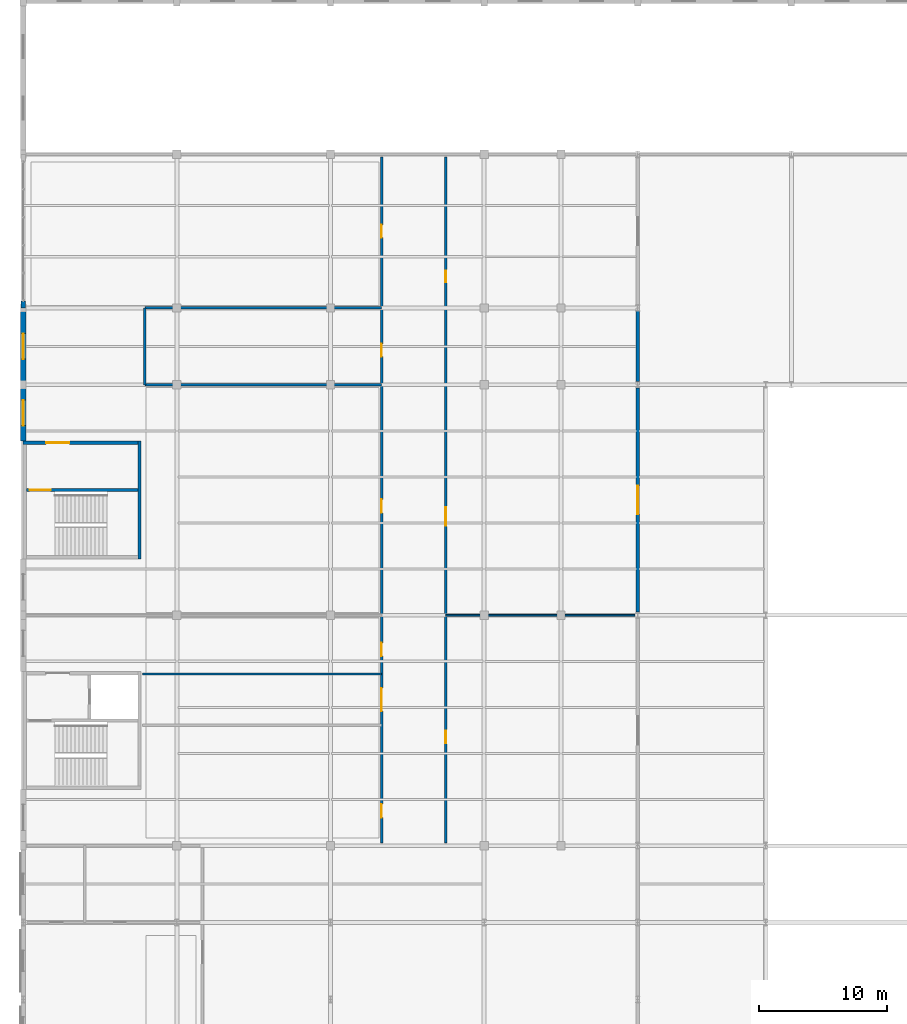
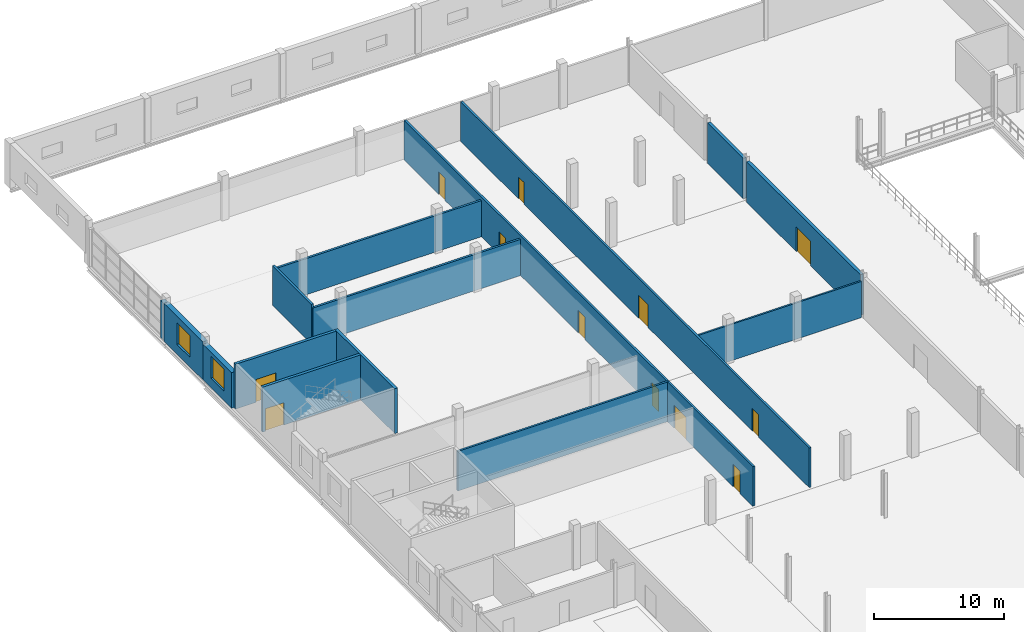
# One storey, part 142 of 158: 15 walls, 12 doors, 2 windows, 14 openings.
"""IFC4 building model written with IfcOpenShell, lengths in metres."""

from ifc_helpers import new_model, si_unit, direction, frame, frame_2d, origin, place, context, subcontext, project, spatial, rectangle, extrude, material, layer, layer_set, type_object, element, fill, save


model = new_model("IFC4")

# Units and contexts
model_context = context("Model", 3, precision=1e-05, world=origin(), true_north=direction((0.0, 1.0)))
body_context = subcontext(model_context, "Body", "Model", "MODEL_VIEW")
ifc_project = project(units=[si_unit("LENGTHUNIT", "METRE"), si_unit("AREAUNIT", "SQUARE_METRE"), si_unit("VOLUMEUNIT", "CUBIC_METRE"), si_unit("PLANEANGLEUNIT", "RADIAN"), si_unit("MASSUNIT", "GRAM", prefix="KILO")], contexts=[model_context])

# Site, building, storey
site_placement = place(None, origin())
site = spatial("IfcSite", under=ifc_project, at=site_placement, CompositionType="ELEMENT")
building_placement = place(site_placement, origin())
building = spatial("IfcBuilding", under=site, at=building_placement, Name="Zilviju Railside Exhibition Hall", CompositionType="ELEMENT")
storey_placement = place(building_placement, frame((0.0, 0.0, 4.199951171875)))
storey = spatial("IfcBuildingStorey", under=building, at=storey_placement, Name="L02", CompositionType="ELEMENT", Elevation=4.199951171875)

# Wall, opening, door
ifc_material_1 = material(Name="Concrete C35/45", Category="concrete")
ifc_layer_1 = layer(ifc_material_1, 0.280029296875)
ifc_layer_set_1 = layer_set([ifc_layer_1], Name="Concrete C35/45")
wall_type_1 = type_object("IfcWallType", Name="WL-COMP-280", PredefinedType="SHEAR", material=ifc_layer_set_1)
wall_1_placement = place(storey_placement, frame((48.0, 102.251953125, 0.0), z_axis=(0.0, 0.0, 1.0), x_axis=(0.0, 1.0, 0.0)))
wall_1 = element("IfcWall", 1, at=wall_1_placement, inside=storey, type_object=wall_type_1, Name="REI 180 Congress-Concourse Compartment Wall L02", PredefinedType="SHEAR", context=body_context, shape_type="SweptSolid", body=[
    extrude(rectangle(XDim=17.49609375, YDim=0.280029296875, at=frame_2d((8.748046875, 0.0))), origin(), (0.0, 0.0, 1.0), 3.800048828125),
])
opening_1_placement = place(wall_1_placement, frame((7.64794921875, 0.0, 0.0)))
opening_1 = element("IfcOpeningElement", 2, at=opening_1_placement, cuts=wall_1, Name="Opening FD-03", PredefinedType="OPENING", context=body_context, shape_type="SweptSolid", body=[
    extrude(rectangle(XDim=2.199951171875, YDim=2.300048828125, at=frame_2d((1.10009765625, 1.14990234375))), frame((0.0, 0.14990234375, 0.0), z_axis=(0.0, -1.0, 0.0), x_axis=(1.0, 0.0, 0.0)), (0.0, 0.0, 1.0), 0.300048828125),
])
ifc_material_2 = material(Name="Hold-open double compartment fire door EI 60", Category="wood")
door_type_1 = type_object("IfcDoorType", Name="DR-COMP-220x230", OperationType="NOTDEFINED", PredefinedType="DOOR", material=ifc_material_2)
door_1_placement = place(opening_1_placement, origin())
door_1 = element("IfcDoor", 3, at=door_1_placement, inside=storey, type_object=door_type_1, Name="Congress Link Fire Door L02", OperationType="DOUBLE_DOOR_SINGLE_SWING", OverallHeight=2.300048828125, OverallWidth=2.199951171875, PredefinedType="DOOR", context=body_context, shape_type="SweptSolid", body=[
    extrude(rectangle(XDim=2.199951171875, YDim=2.300048828125, at=frame_2d((1.10009765625, 1.14990234375))), frame((0.0, 0.02490234375, 0.0), z_axis=(0.0, -1.0, 0.0), x_axis=(1.0, 0.0, 0.0)), (0.0, 0.0, 1.0), 0.050048828125),
])
fill(opening_1, door_1)

# Walls
wall_2_placement = place(storey_placement, frame((48.0, 120.251953125, 0.0), z_axis=(0.0, 0.0, 1.0), x_axis=(0.0, 1.0, 0.0)))
element("IfcWall", 4, at=wall_2_placement, inside=storey, type_object=wall_type_1, Name="REI 180 Congress-Concourse Compartment Wall L02", PredefinedType="SHEAR", context=body_context, shape_type="SweptSolid", body=[
    extrude(rectangle(XDim=5.49609375, YDim=0.280029296875, at=frame_2d((2.748046875, 0.0))), origin(), (0.0, 0.0, 1.0), 3.800048828125),
])
ifc_layer_2 = layer(ifc_material_1, 0.25)
ifc_layer_set_2 = layer_set([ifc_layer_2], Name="Concrete C35/45")
wall_type_2 = type_object("IfcWallType", Name="WL-CORE-250", PredefinedType="SHEAR", material=ifc_layer_set_2)
wall_3_placement = place(storey_placement, frame((9.074951171875, 106.39990234375, 0.0), z_axis=(0.0, 0.0, 1.0), x_axis=(0.0, 1.0, 0.0)))
element("IfcWall", 5, at=wall_3_placement, inside=storey, type_object=wall_type_2, Name="Core C16 Organisers Wing North Core Rear Wall L02", PredefinedType="SHEAR", context=body_context, shape_type="SweptSolid", body=[
    extrude(rectangle(XDim=9.2001953125, YDim=0.25, at=frame_2d((4.60009765625, 0.0))), origin(), (0.0, 0.0, 1.0), 4.199951171875),
])

# Wall, opening, door
wall_4_placement = place(storey_placement, frame((0.0, 115.47509765625, 0.0), z_axis=(0.0, 0.0, 1.0), x_axis=(1.0, 0.0, 0.0)))
wall_4 = element("IfcWall", 6, at=wall_4_placement, inside=storey, type_object=wall_type_2, Name="Core C16 Organisers Wing North Lobby Side Wall L02", PredefinedType="SHEAR", context=body_context, shape_type="SweptSolid", body=[
    extrude(rectangle(XDim=9.199951171875, YDim=0.25, at=frame_2d((4.60009765625, 0.0))), origin(), (0.0, 0.0, 1.0), 4.199951171875),
])
opening_2_placement = place(wall_4_placement, frame((1.800048828125, 0.0, 0.0)))
opening_2 = element("IfcOpeningElement", 7, at=opening_2_placement, cuts=wall_4, Name="Opening FD-02", PredefinedType="OPENING", context=body_context, shape_type="SweptSolid", body=[
    extrude(rectangle(XDim=1.800048828125, YDim=2.14990234375, at=frame_2d((0.89990234375, 1.074951171875))), frame((0.0, 0.135009765625, 0.0), z_axis=(0.0, -1.0, 0.0), x_axis=(1.0, 0.0, 0.0)), (0.0, 0.0, 1.0), 0.27001953125),
])
ifc_material_3 = material(Name="Self-closing glazed steel core lobby fire door EI 60", Category="steel")
door_type_2 = type_object("IfcDoorType", Name="DR-LOBBY-180x215", OperationType="NOTDEFINED", PredefinedType="DOOR", material=ifc_material_3)
door_2_placement = place(opening_2_placement, origin())
door_2 = element("IfcDoor", 8, at=door_2_placement, inside=storey, type_object=door_type_2, Name="Core C16 Organisers Wing North Lobby Fire Door L02", OperationType="DOUBLE_DOOR_SINGLE_SWING", OverallHeight=2.14990234375, OverallWidth=1.800048828125, PredefinedType="DOOR", context=body_context, shape_type="SweptSolid", body=[
    extrude(rectangle(XDim=1.800048828125, YDim=2.14990234375, at=frame_2d((0.89990234375, 1.074951171875))), frame((0.0, 0.02490234375, 0.0), z_axis=(0.0, -1.0, 0.0), x_axis=(1.0, 0.0, 0.0)), (0.0, 0.0, 1.0), 0.050048828125),
])
fill(opening_2, door_2)

wall_5_placement = place(storey_placement, frame((0.25, 111.77490234375, 0.0), z_axis=(0.0, 0.0, 1.0), x_axis=(1.0, 0.0, 0.0)))
wall_5 = element("IfcWall", 9, at=wall_5_placement, inside=storey, type_object=wall_type_2, Name="Core C16 Organisers Wing North Stairwell Partition Wall L02", PredefinedType="SHEAR", context=body_context, shape_type="SweptSolid", body=[
    extrude(rectangle(XDim=8.699951171875, YDim=0.25, at=frame_2d((4.35009765625, 0.0))), origin(), (0.0, 0.0, 1.0), 4.199951171875),
])
opening_3_placement = place(wall_5_placement, frame((0.25, 0.0, 0.0)))
opening_3 = element("IfcOpeningElement", 10, at=opening_3_placement, cuts=wall_5, Name="Opening FD-01", PredefinedType="OPENING", context=body_context, shape_type="SweptSolid", body=[
    extrude(rectangle(XDim=1.64990234375, YDim=2.10009765625, at=frame_2d((0.824951171875, 1.050048828125))), frame((0.0, 0.135009765625, 0.0), z_axis=(0.0, -1.0, 0.0), x_axis=(1.0, 0.0, 0.0)), (0.0, 0.0, 1.0), 0.27001953125),
])
ifc_material_4 = material(Name="Self-closing steel stair enclosure fire door EI 60", Category="steel")
door_type_3 = type_object("IfcDoorType", Name="DR-STAIR-165x210", OperationType="NOTDEFINED", PredefinedType="DOOR", material=ifc_material_4)
door_3_placement = place(opening_3_placement, origin())
door_3 = element("IfcDoor", 11, at=door_3_placement, inside=storey, type_object=door_type_3, Name="Core C16 Organisers Wing North Protected Stair Door L02", OperationType="SINGLE_SWING_LEFT", OverallHeight=2.10009765625, OverallWidth=1.64990234375, PredefinedType="DOOR", context=body_context, shape_type="SweptSolid", body=[
    extrude(rectangle(XDim=1.64990234375, YDim=2.10009765625, at=frame_2d((0.824951171875, 1.050048828125))), frame((0.0, 0.02490234375, 0.0), z_axis=(0.0, -1.0, 0.0), x_axis=(1.0, 0.0, 0.0)), (0.0, 0.0, 1.0), 0.050048828125),
])
fill(opening_3, door_3)

# Wall
ifc_material_5 = material(Name="Insulated cream-brick upper facade wall", Category="masonry")
ifc_layer_3 = layer(ifc_material_5, 0.3798828125)
ifc_layer_set_3 = layer_set([ifc_layer_3], Name="Insulated cream-brick upper facade wall")
wall_type_3 = type_object("IfcWallType", Name="WL-EXT-380", PredefinedType="SOLIDWALL", material=ifc_layer_set_3)
wall_6_placement = place(storey_placement, frame((0.0, 126.001953125, 0.0), z_axis=(0.0, 0.0, 1.0), x_axis=(0.0, 1.0, 0.0)))
element("IfcWall", 12, at=wall_6_placement, inside=storey, type_object=wall_type_3, Name="Curtain-Wall Jamb Closure Pier L02 0477", PredefinedType="SOLIDWALL", context=body_context, shape_type="SweptSolid", body=[
    extrude(rectangle(XDim=0.548095703125, YDim=0.3798828125, at=frame_2d((0.27392578125, 0.0))), origin(), (0.0, 0.0, 1.0), 3.5),
])

# Wall, opening, window
ifc_material_6 = material(Name="Insulated Jugendstils ochre brick facade wall", Category="masonry")
ifc_layer_4 = layer(ifc_material_6, 0.419921875)
ifc_layer_set_4 = layer_set([ifc_layer_4], Name="Insulated Jugendstils ochre brick facade wall")
wall_type_4 = type_object("IfcWallType", Name="WL-EXT-420", PredefinedType="SOLIDWALL", material=ifc_layer_set_4)
wall_7_placement = place(storey_placement, frame((0.0, 115.60009765625, 0.0), z_axis=(0.0, 0.0, 1.0), x_axis=(0.0, 1.0, 0.0)))
wall_7 = element("IfcWall", 13, at=wall_7_placement, inside=storey, type_object=wall_type_4, Name="Exterior Facade Wall L02 West 0475", PredefinedType="SOLIDWALL", context=body_context, shape_type="SweptSolid", body=[
    extrude(rectangle(XDim=4.39990234375, YDim=0.419921875, at=frame_2d((2.199951171875, 0.0))), origin(), (0.0, 0.0, 1.0), 3.35009765625),
])
opening_4_placement = place(wall_7_placement, frame((1.199951171875, 0.0, 0.89990234375)))
opening_4 = element("IfcOpeningElement", 14, at=opening_4_placement, cuts=wall_7, Name="Opening WN-07", PredefinedType="OPENING", context=body_context, shape_type="SweptSolid", body=[
    extrude(rectangle(XDim=2.0, YDim=2.050048828125, at=frame_2d((1.0, 1.02490234375))), frame((0.0, 0.219970703125, 0.0), z_axis=(0.0, -1.0, 0.0), x_axis=(1.0, 0.0, 0.0)), (0.0, 0.0, 1.0), 0.43994140625),
])
ifc_material_7 = material(Name="Triple-glazed timber-aluminium window unit", Category="wood")
window_type = type_object("IfcWindowType", Name="WIN-ERK-200x205", PartitioningType="DOUBLE_PANEL_VERTICAL", PredefinedType="WINDOW", material=ifc_material_7)
window_1_placement = place(opening_4_placement, origin())
window_1 = element("IfcWindow", 15, at=window_1_placement, inside=storey, type_object=window_type, Name="Facade Window L02 WN-0046", OverallHeight=2.050048828125, OverallWidth=2.0, PartitioningType="SINGLE_PANEL", PredefinedType="WINDOW", context=body_context, shape_type="SweptSolid", body=[
    extrude(rectangle(XDim=2.0, YDim=2.050048828125, at=frame_2d((1.0, 1.02490234375))), frame((0.0, 0.030029296875, 0.0), z_axis=(0.0, -1.0, 0.0), x_axis=(1.0, 0.0, 0.0)), (0.0, 0.0, 1.0), 0.06005859375),
])
fill(opening_4, window_1)

wall_8_placement = place(storey_placement, frame((0.0, 120.0, 0.0), z_axis=(0.0, 0.0, 1.0), x_axis=(0.0, 1.0, 0.0)))
wall_8 = element("IfcWall", 16, at=wall_8_placement, inside=storey, type_object=wall_type_4, Name="Exterior Facade Wall L02 West 0476", PredefinedType="SOLIDWALL", context=body_context, shape_type="SweptSolid", body=[
    extrude(rectangle(XDim=6.0, YDim=0.419921875, at=frame_2d((3.0, 0.0))), origin(), (0.0, 0.0, 1.0), 3.56005859375),
])
opening_5_placement = place(wall_8_placement, frame((2.0, 0.0, 0.89990234375)))
opening_5 = element("IfcOpeningElement", 17, at=opening_5_placement, cuts=wall_8, Name="Opening WN-07", PredefinedType="OPENING", context=body_context, shape_type="SweptSolid", body=[
    extrude(rectangle(XDim=2.0, YDim=2.050048828125, at=frame_2d((1.0, 1.02490234375))), frame((0.0, 0.219970703125, 0.0), z_axis=(0.0, -1.0, 0.0), x_axis=(1.0, 0.0, 0.0)), (0.0, 0.0, 1.0), 0.43994140625),
])
window_2_placement = place(opening_5_placement, origin())
window_2 = element("IfcWindow", 18, at=window_2_placement, inside=storey, type_object=window_type, Name="Facade Window L02 WN-0047", OverallHeight=2.050048828125, OverallWidth=2.0, PartitioningType="SINGLE_PANEL", PredefinedType="WINDOW", context=body_context, shape_type="SweptSolid", body=[
    extrude(rectangle(XDim=2.0, YDim=2.050048828125, at=frame_2d((1.0, 1.02490234375))), frame((0.0, 0.030029296875, 0.0), z_axis=(0.0, -1.0, 0.0), x_axis=(1.0, 0.0, 0.0)), (0.0, 0.0, 1.0), 0.06005859375),
])
fill(opening_5, window_2)

# Wall
ifc_material_8 = material(Name="Insulated gypsum room partition wall", Category="masonry")
ifc_layer_5 = layer(ifc_material_8, 0.14990234375)
ifc_layer_set_5 = layer_set([ifc_layer_5], Name="Insulated gypsum room partition wall")
wall_type_5 = type_object("IfcWallType", Name="WL-PART-150", PredefinedType="PARTITIONING", material=ifc_layer_set_5)
wall_9_placement = place(storey_placement, frame((33.0, 102.0, 0.0), z_axis=(0.0, 0.0, 1.0), x_axis=(1.0, 0.0, 0.0)))
element("IfcWall", 19, at=wall_9_placement, inside=storey, type_object=wall_type_5, Name="Wing East Cross Wall L02 Y=102", PredefinedType="PARTITIONING", context=body_context, shape_type="SweptSolid", body=[
    extrude(rectangle(XDim=14.780029296875, YDim=0.14990234375, at=frame_2d((7.39013671875, 0.0))), origin(), (0.0, 0.0, 1.0), 3.400146484375),
])

# Wall, openings, doors
ifc_material_9 = material(Name="Acoustic conference partition wall", Category="masonry")
ifc_layer_6 = layer(ifc_material_9, 0.175048828125)
ifc_layer_set_6 = layer_set([ifc_layer_6], Name="Acoustic conference partition wall")
wall_type_6 = type_object("IfcWallType", Name="WL-PART-175", PredefinedType="PARTITIONING", material=ifc_layer_set_6)
wall_10_placement = place(storey_placement, frame((28.0, 84.219970703125, 0.0), z_axis=(0.0, 0.0, 1.0), x_axis=(0.0, 1.0, 0.0)))
wall_10 = element("IfcWall", 20, at=wall_10_placement, inside=storey, type_object=wall_type_6, Name="Wing West Corridor Wall L02", PredefinedType="PARTITIONING", context=body_context, shape_type="SweptSolid", body=[
    extrude(rectangle(XDim=53.56005859375, YDim=0.175048828125, at=frame_2d((26.780029296875, 0.0))), origin(), (0.0, 0.0, 1.0), 3.719970703125),
])
opening_6_placement = place(wall_10_placement, frame((1.97998046875, 0.0, 0.0)))
opening_6 = element("IfcOpeningElement", 21, at=opening_6_placement, cuts=wall_10, Name="Opening ID-02", PredefinedType="OPENING", context=body_context, shape_type="SweptSolid", body=[
    extrude(rectangle(XDim=1.050048828125, YDim=2.10009765625, at=frame_2d((0.52490234375, 1.050048828125))), frame((0.0, 0.097412109375, 0.0), z_axis=(0.0, -1.0, 0.0), x_axis=(1.0, 0.0, 0.0)), (0.0, 0.0, 1.0), 0.195068359375),
])
opening_7_placement = place(wall_10_placement, frame((10.280029296875, 0.0, 0.0)))
opening_7 = element("IfcOpeningElement", 22, at=opening_7_placement, cuts=wall_10, Name="Opening FD-02", PredefinedType="OPENING", context=body_context, shape_type="SweptSolid", body=[
    extrude(rectangle(XDim=1.800048828125, YDim=2.14990234375, at=frame_2d((0.89990234375, 1.074951171875))), frame((0.0, 0.097412109375, 0.0), z_axis=(0.0, -1.0, 0.0), x_axis=(1.0, 0.0, 0.0)), (0.0, 0.0, 1.0), 0.195068359375),
])
opening_8_placement = place(wall_10_placement, frame((14.580078125, 0.0, 0.0)))
opening_8 = element("IfcOpeningElement", 23, at=opening_8_placement, cuts=wall_10, Name="Opening ID-02", PredefinedType="OPENING", context=body_context, shape_type="SweptSolid", body=[
    extrude(rectangle(XDim=1.050048828125, YDim=2.10009765625, at=frame_2d((0.52490234375, 1.050048828125))), frame((0.0, 0.097412109375, 0.0), z_axis=(0.0, -1.0, 0.0), x_axis=(1.0, 0.0, 0.0)), (0.0, 0.0, 1.0), 0.195068359375),
])
opening_9_placement = place(wall_10_placement, frame((25.780029296875, 0.0, 0.0)))
opening_9 = element("IfcOpeningElement", 24, at=opening_9_placement, cuts=wall_10, Name="Opening ID-02", PredefinedType="OPENING", context=body_context, shape_type="SweptSolid", body=[
    extrude(rectangle(XDim=1.050048828125, YDim=2.10009765625, at=frame_2d((0.52490234375, 1.050048828125))), frame((0.0, 0.097412109375, 0.0), z_axis=(0.0, -1.0, 0.0), x_axis=(1.0, 0.0, 0.0)), (0.0, 0.0, 1.0), 0.195068359375),
])
opening_10_placement = place(wall_10_placement, frame((37.97998046875, 0.0, 0.0)))
opening_10 = element("IfcOpeningElement", 25, at=opening_10_placement, cuts=wall_10, Name="Opening WD-01", PredefinedType="OPENING", context=body_context, shape_type="SweptSolid", body=[
    extrude(rectangle(XDim=1.0, YDim=2.10009765625, at=frame_2d((0.5, 1.050048828125))), frame((0.0, 0.097412109375, 0.0), z_axis=(0.0, -1.0, 0.0), x_axis=(1.0, 0.0, 0.0)), (0.0, 0.0, 1.0), 0.195068359375),
])
opening_11_placement = place(wall_10_placement, frame((47.280029296875, 0.0, 0.0)))
opening_11 = element("IfcOpeningElement", 26, at=opening_11_placement, cuts=wall_10, Name="Opening ID-03", PredefinedType="OPENING", context=body_context, shape_type="SweptSolid", body=[
    extrude(rectangle(XDim=0.97998046875, YDim=2.10009765625, at=frame_2d((0.489990234375, 1.050048828125))), frame((0.0, 0.097412109375, 0.0), z_axis=(0.0, -1.0, 0.0), x_axis=(1.0, 0.0, 0.0)), (0.0, 0.0, 1.0), 0.195068359375),
])
door_4_placement = place(opening_7_placement, origin())
door_4 = element("IfcDoor", 27, at=door_4_placement, inside=storey, type_object=door_type_2, Name="West Core Corridor Fire Door L02", OperationType="DOUBLE_DOOR_SINGLE_SWING", OverallHeight=2.14990234375, OverallWidth=1.800048828125, PredefinedType="DOOR", context=body_context, shape_type="SweptSolid", body=[
    extrude(rectangle(XDim=1.800048828125, YDim=2.14990234375, at=frame_2d((0.89990234375, 1.074951171875))), frame((0.0, 0.02490234375, 0.0), z_axis=(0.0, -1.0, 0.0), x_axis=(1.0, 0.0, 0.0)), (0.0, 0.0, 1.0), 0.050048828125),
])
fill(opening_7, door_4)
ifc_material_10 = material(Name="Oak veneer meeting room single door", Category="wood")
door_type_4 = type_object("IfcDoorType", Name="DR-MTG-105x210", OperationType="NOTDEFINED", PredefinedType="DOOR", material=ifc_material_10)
door_5_placement = place(opening_6_placement, origin())
door_5 = element("IfcDoor", 28, at=door_5_placement, inside=storey, type_object=door_type_4, Name="Suite West South Door L02", OperationType="SINGLE_SWING_RIGHT", OverallHeight=2.10009765625, OverallWidth=1.050048828125, PredefinedType="DOOR", context=body_context, shape_type="SweptSolid", body=[
    extrude(rectangle(XDim=1.050048828125, YDim=2.10009765625, at=frame_2d((0.52490234375, 1.050048828125))), frame((0.0, 0.02490234375, 0.0), z_axis=(0.0, -1.0, 0.0), x_axis=(1.0, 0.0, 0.0)), (0.0, 0.0, 1.0), 0.050048828125),
])
fill(opening_6, door_5)
door_6_placement = place(opening_8_placement, origin())
door_6 = element("IfcDoor", 29, at=door_6_placement, inside=storey, type_object=door_type_4, Name="Suite West 1 Door L02", OperationType="SINGLE_SWING_LEFT", OverallHeight=2.10009765625, OverallWidth=1.050048828125, PredefinedType="DOOR", context=body_context, shape_type="SweptSolid", body=[
    extrude(rectangle(XDim=1.050048828125, YDim=2.10009765625, at=frame_2d((0.52490234375, 1.050048828125))), frame((0.0, 0.02490234375, 0.0), z_axis=(0.0, -1.0, 0.0), x_axis=(1.0, 0.0, 0.0)), (0.0, 0.0, 1.0), 0.050048828125),
])
fill(opening_8, door_6)
door_7_placement = place(opening_9_placement, origin())
door_7 = element("IfcDoor", 30, at=door_7_placement, inside=storey, type_object=door_type_4, Name="Suite West 2 Door L02", OperationType="SINGLE_SWING_RIGHT", OverallHeight=2.10009765625, OverallWidth=1.050048828125, PredefinedType="DOOR", context=body_context, shape_type="SweptSolid", body=[
    extrude(rectangle(XDim=1.050048828125, YDim=2.10009765625, at=frame_2d((0.52490234375, 1.050048828125))), frame((0.0, 0.02490234375, 0.0), z_axis=(0.0, -1.0, 0.0), x_axis=(1.0, 0.0, 0.0)), (0.0, 0.0, 1.0), 0.050048828125),
])
fill(opening_9, door_7)
ifc_material_11 = material(Name="Oak veneer administration single door", Category="wood")
door_type_5 = type_object("IfcDoorType", Name="DR-OFF-098x210", OperationType="NOTDEFINED", PredefinedType="DOOR", material=ifc_material_11)
door_8_placement = place(opening_11_placement, origin())
door_8 = element("IfcDoor", 31, at=door_8_placement, inside=storey, type_object=door_type_5, Name="Suite West 3 Door L02", OperationType="SINGLE_SWING_RIGHT", OverallHeight=2.10009765625, OverallWidth=0.97998046875, PredefinedType="DOOR", context=body_context, shape_type="SweptSolid", body=[
    extrude(rectangle(XDim=0.97998046875, YDim=2.10009765625, at=frame_2d((0.489990234375, 1.050048828125))), frame((0.0, 0.02490234375, 0.0), z_axis=(0.0, -1.0, 0.0), x_axis=(1.0, 0.0, 0.0)), (0.0, 0.0, 1.0), 0.050048828125),
])
fill(opening_11, door_8)
ifc_material_12 = material(Name="Accessible WC outward-opening door", Category="wood")
door_type_6 = type_object("IfcDoorType", Name="DR-WC-ACC-100x210", OperationType="NOTDEFINED", PredefinedType="DOOR", material=ifc_material_12)
door_9_placement = place(opening_10_placement, origin())
door_9 = element("IfcDoor", 32, at=door_9_placement, inside=storey, type_object=door_type_6, Name="Wing L02 Accessible WC Door", OperationType="SINGLE_SWING_LEFT", OverallHeight=2.10009765625, OverallWidth=1.0, PredefinedType="DOOR", context=body_context, shape_type="SweptSolid", body=[
    extrude(rectangle(XDim=1.0, YDim=2.10009765625, at=frame_2d((0.5, 1.050048828125))), frame((0.0, 0.02490234375, 0.0), z_axis=(0.0, -1.0, 0.0), x_axis=(1.0, 0.0, 0.0)), (0.0, 0.0, 1.0), 0.050048828125),
])
fill(opening_10, door_9)

wall_11_placement = place(storey_placement, frame((33.0, 84.219970703125, 0.0), z_axis=(0.0, 0.0, 1.0), x_axis=(0.0, 1.0, 0.0)))
wall_11 = element("IfcWall", 33, at=wall_11_placement, inside=storey, type_object=wall_type_6, Name="Wing East Corridor Wall L02", PredefinedType="PARTITIONING", context=body_context, shape_type="SweptSolid", body=[
    extrude(rectangle(XDim=53.56005859375, YDim=0.175048828125, at=frame_2d((26.780029296875, 0.0))), origin(), (0.0, 0.0, 1.0), 3.719970703125),
])
opening_12_placement = place(wall_11_placement, frame((7.780029296875, 0.0, 0.0)))
opening_12 = element("IfcOpeningElement", 34, at=opening_12_placement, cuts=wall_11, Name="Opening ID-03", PredefinedType="OPENING", context=body_context, shape_type="SweptSolid", body=[
    extrude(rectangle(XDim=0.97998046875, YDim=2.10009765625, at=frame_2d((0.489990234375, 1.050048828125))), frame((0.0, 0.097412109375, 0.0), z_axis=(0.0, -1.0, 0.0), x_axis=(1.0, 0.0, 0.0)), (0.0, 0.0, 1.0), 0.195068359375),
])
opening_13_placement = place(wall_11_placement, frame((24.780029296875, 0.0, 0.0)))
opening_13 = element("IfcOpeningElement", 35, at=opening_13_placement, cuts=wall_11, Name="Opening ID-06", PredefinedType="OPENING", context=body_context, shape_type="SweptSolid", body=[
    extrude(rectangle(XDim=1.449951171875, YDim=2.14990234375, at=frame_2d((0.72509765625, 1.074951171875))), frame((0.0, 0.097412109375, 0.0), z_axis=(0.0, -1.0, 0.0), x_axis=(1.0, 0.0, 0.0)), (0.0, 0.0, 1.0), 0.195068359375),
])
opening_14_placement = place(wall_11_placement, frame((43.780029296875, 0.0, 0.0)))
opening_14 = element("IfcOpeningElement", 36, at=opening_14_placement, cuts=wall_11, Name="Opening ID-04", PredefinedType="OPENING", context=body_context, shape_type="SweptSolid", body=[
    extrude(rectangle(XDim=0.919921875, YDim=2.050048828125, at=frame_2d((0.4599609375, 1.02490234375))), frame((0.0, 0.097412109375, 0.0), z_axis=(0.0, -1.0, 0.0), x_axis=(1.0, 0.0, 0.0)), (0.0, 0.0, 1.0), 0.195068359375),
])
ifc_material_13 = material(Name="Stainless-steel catering kitchen door EI 30", Category="steel")
door_type_7 = type_object("IfcDoorType", Name="DR-KIT-145x215", OperationType="NOTDEFINED", PredefinedType="DOOR", material=ifc_material_13)
door_10_placement = place(opening_13_placement, origin())
door_10 = element("IfcDoor", 37, at=door_10_placement, inside=storey, type_object=door_type_7, Name="Suite East 2 Door L02", OperationType="SINGLE_SWING_LEFT", OverallHeight=2.14990234375, OverallWidth=1.449951171875, PredefinedType="DOOR", context=body_context, shape_type="SweptSolid", body=[
    extrude(rectangle(XDim=1.449951171875, YDim=2.14990234375, at=frame_2d((0.72509765625, 1.074951171875))), frame((0.0, 0.02490234375, 0.0), z_axis=(0.0, -1.0, 0.0), x_axis=(1.0, 0.0, 0.0)), (0.0, 0.0, 1.0), 0.050048828125),
])
fill(opening_13, door_10)
ifc_material_14 = material(Name="Timber interior office door", Category="wood")
door_type_8 = type_object("IfcDoorType", Name="DR-OFF-092x205", OperationType="NOTDEFINED", PredefinedType="DOOR", material=ifc_material_14)
door_11_placement = place(opening_14_placement, origin())
door_11 = element("IfcDoor", 38, at=door_11_placement, inside=storey, type_object=door_type_8, Name="Suite East 3 Door L02", OperationType="SINGLE_SWING_RIGHT", OverallHeight=2.050048828125, OverallWidth=0.919921875, PredefinedType="DOOR", context=body_context, shape_type="SweptSolid", body=[
    extrude(rectangle(XDim=0.919921875, YDim=2.050048828125, at=frame_2d((0.4599609375, 1.02490234375))), frame((0.0, 0.02490234375, 0.0), z_axis=(0.0, -1.0, 0.0), x_axis=(1.0, 0.0, 0.0)), (0.0, 0.0, 1.0), 0.050048828125),
])
fill(opening_14, door_11)
door_12_placement = place(opening_12_placement, origin())
door_12 = element("IfcDoor", 39, at=door_12_placement, inside=storey, type_object=door_type_5, Name="Suite East 1 Door L02", OperationType="SINGLE_SWING_RIGHT", OverallHeight=2.10009765625, OverallWidth=0.97998046875, PredefinedType="DOOR", context=body_context, shape_type="SweptSolid", body=[
    extrude(rectangle(XDim=0.97998046875, YDim=2.10009765625, at=frame_2d((0.489990234375, 1.050048828125))), frame((0.0, 0.02490234375, 0.0), z_axis=(0.0, -1.0, 0.0), x_axis=(1.0, 0.0, 0.0)), (0.0, 0.0, 1.0), 0.050048828125),
])
fill(opening_12, door_12)

# Walls
wall_12_placement = place(storey_placement, frame((9.300048828125, 97.39990234375, 0.0), z_axis=(0.0, 0.0, 1.0), x_axis=(1.0, 0.0, 0.0)))
element("IfcWall", 40, at=wall_12_placement, inside=storey, type_object=wall_type_6, Name="Wing Core Link North Wall L02", PredefinedType="PARTITIONING", context=body_context, shape_type="SweptSolid", body=[
    extrude(rectangle(XDim=18.699951171875, YDim=0.175048828125, at=frame_2d((9.35009765625, 0.0))), origin(), (0.0, 0.0, 1.0), 3.719970703125),
])
ifc_material_15 = material(Name="Accessible WC sanitary chase wall", Category="masonry")
ifc_layer_7 = layer(ifc_material_15, 0.18994140625)
ifc_layer_set_7 = layer_set([ifc_layer_7], Name="Accessible WC sanitary chase wall")
wall_type_7 = type_object("IfcWallType", Name="WL-PLMB-190", PredefinedType="PLUMBINGWALL", material=ifc_layer_set_7)
for number, where, z_axis, x_axis, name in (
    (41, (9.5, 120.0, 0.0), (0.0, 0.0, 1.0), (1.0, 0.0, 0.0), "Wing West Cross Wall L02 Y=120"),
    (42, (9.5, 126.0, 0.0), (0.0, 0.0, 1.0), (1.0, 0.0, 0.0), "Wing West Cross Wall L02 Y=126"),
):
    element("IfcWall", number, at=place(storey_placement, frame(where, z_axis=z_axis, x_axis=x_axis)), inside=storey, type_object=wall_type_7, Name=name, PredefinedType="PLUMBINGWALL", context=body_context, shape_type="SweptSolid", body=[
        extrude(rectangle(XDim=18.5, YDim=0.18994140625, at=frame_2d((9.25, 0.0))), origin(), (0.0, 0.0, 1.0), 3.400146484375),
    ])
wall_13_placement = place(storey_placement, frame((9.5, 120.0, 0.0), z_axis=(0.0, 0.0, 1.0), x_axis=(0.0, 1.0, 0.0)))
element("IfcWall", 43, at=wall_13_placement, inside=storey, type_object=wall_type_7, Name="Wing WC West Wall L02", PredefinedType="PLUMBINGWALL", context=body_context, shape_type="SweptSolid", body=[
    extrude(rectangle(XDim=6.0, YDim=0.18994140625, at=frame_2d((3.0, 0.0))), origin(), (0.0, 0.0, 1.0), 3.719970703125),
])

save(model, "model.ifc")
